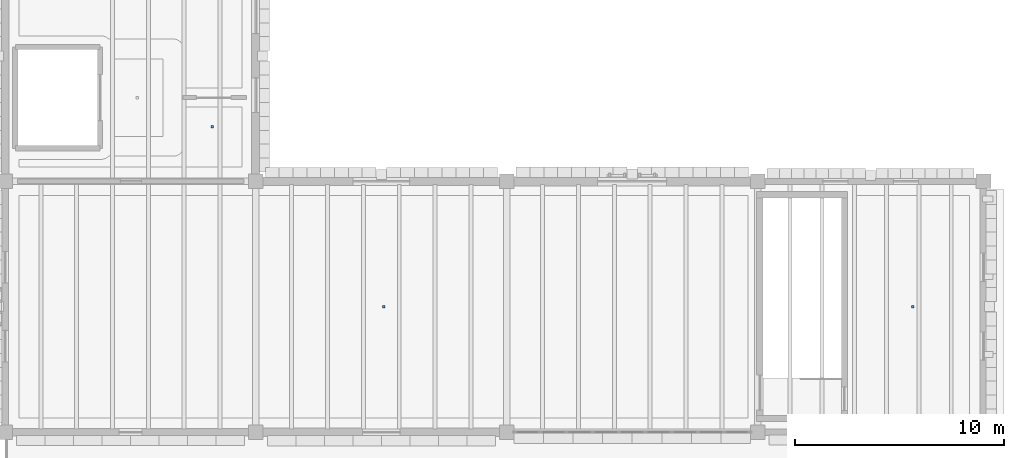
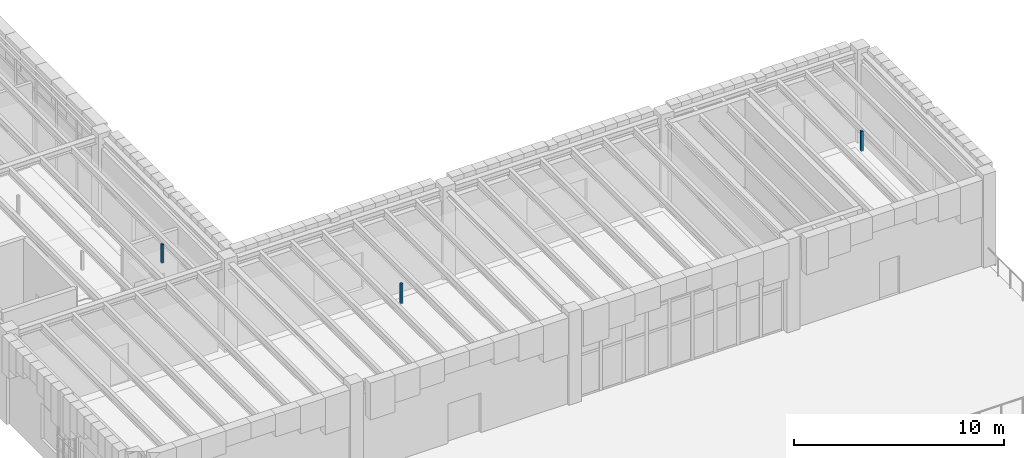
# One storey, part 68 of 100: 3 discrete accessories.
"""IFC4 building model written with IfcOpenShell, lengths in metres."""

import ifcopenshell
import ifcopenshell.guid

model = None  # the IFC model being written
_history = None  # IfcOwnerHistory: only IFC2X3 demands one
_inside = {}  # id of a spatial element -> (the spatial element, [elements in it])
_under = {}  # id of a project, library or spatial element -> (it, [spatial elements below it])
_declared = {}  # id of a project -> (the project, [libraries it declares])
_typed = {}  # id of a type object -> (the type object, [elements of that type])
_made_of = {}  # id of a material, layer set ... -> (it, [elements and type objects made of it])


def new_model(schema):
    """Start an empty IFC model of exactly this schema.

    Asked for "IFC4X3", IfcOpenShell would pick the latest addendum, in which some entities
    have other attributes; the version numbers below select the first issue.
    IFC2X3 requires an IfcOwnerHistory on every rooted entity: one is made here for all.
    """
    global model, _history
    if schema == "IFC4X3":
        model = ifcopenshell.file(schema_version=(4, 3, 0, 0))
    else:
        model = ifcopenshell.file(schema=schema)
    _inside.clear()
    _under.clear()
    _declared.clear()
    _typed.clear()
    _made_of.clear()
    _history = None
    if model.schema == "IFC2X3":
        org = make("IfcOrganization", Name="unknown")
        user = make(
            "IfcPersonAndOrganization",
            ThePerson=make("IfcPerson", FamilyName="unknown"),
            TheOrganization=org,
        )
        app = make(
            "IfcApplication",
            ApplicationDeveloper=org,
            Version="unknown",
            ApplicationFullName="unknown",
            ApplicationIdentifier="unknown",
        )
        _history = make(
            "IfcOwnerHistory",
            OwningUser=user,
            OwningApplication=app,
            ChangeAction="ADDED",
            CreationDate=0,
        )
    return model


def make(cls, **values):
    """One entity of the class cls with the attributes given. An attribute that is None is left unset."""
    return model.create_entity(
        cls, **{name: value for name, value in values.items() if value is not None}
    )


def rooted(cls, **values):
    """An entity with a GlobalId (a new one), such as an element, a storey or a relation."""
    return make(cls, GlobalId=ifcopenshell.guid.new(), OwnerHistory=_history, **values)


def si_unit(unit_type, name, prefix=None):
    """IfcSIUnit, for example si_unit("LENGTHUNIT", "METRE", prefix="MILLI")."""
    return make("IfcSIUnit", UnitType=unit_type, Prefix=prefix, Name=name)


def assignment(units):
    """IfcUnitAssignment: the units of a project."""
    return None if units is None else make("IfcUnitAssignment", Units=units)


def point(xyz):
    """IfcCartesianPoint."""
    return None if xyz is None else make("IfcCartesianPoint", Coordinates=xyz)


def direction(xyz):
    """IfcDirection."""
    return None if xyz is None else make("IfcDirection", DirectionRatios=xyz)


def frame(location, z_axis=None, x_axis=None):
    """IfcAxis2Placement3D, a coordinate frame: its origin and axes. An axis left out is left unset."""
    return make(
        "IfcAxis2Placement3D",
        Location=point(location),
        Axis=direction(z_axis),
        RefDirection=direction(x_axis),
    )


def frame_2d(location, x_axis=None):
    """IfcAxis2Placement2D, a coordinate frame in the plane: its origin and x axis."""
    return make(
        "IfcAxis2Placement2D", Location=point(location), RefDirection=direction(x_axis)
    )


def origin():
    """The frame at (0, 0, 0) with its axes left unset."""
    return frame((0.0, 0.0, 0.0))


def origin_2d():
    """The frame at (0, 0) in the plane with its x axis left unset."""
    return frame_2d((0.0, 0.0))


def place(relative_to, where):
    """IfcLocalPlacement: puts the frame where relative to a parent placement (None: the world)."""
    return make(
        "IfcLocalPlacement", PlacementRelTo=relative_to, RelativePlacement=where
    )


def context(
    kind, dimensions, precision=None, world=None, true_north=None, identifier=None
):
    """IfcGeometricRepresentationContext, for example the 3D "Model" context."""
    return make(
        "IfcGeometricRepresentationContext",
        ContextIdentifier=identifier,
        ContextType=kind,
        CoordinateSpaceDimension=dimensions,
        Precision=precision,
        WorldCoordinateSystem=world,
        TrueNorth=true_north,
    )


def subcontext(parent, identifier, kind, view, scale=None):
    """IfcGeometricRepresentationSubContext, for example "Body" below "Model"."""
    return make(
        "IfcGeometricRepresentationSubContext",
        ContextIdentifier=identifier,
        ContextType=kind,
        ParentContext=parent,
        TargetScale=scale,
        TargetView=view,
    )


def project(units=None, contexts=None):
    """IfcProject with its units and contexts."""
    return rooted(
        "IfcProject",
        Name="project",
        RepresentationContexts=contexts,
        UnitsInContext=assignment(units),
    )


def spatial(cls, under=None, at=None, **own):
    """A site, building, storey or space (cls), placed at a placement, below another one or the project."""
    s = rooted(cls, ObjectPlacement=at, **own)
    if under is not None:
        _under.setdefault(under.id(), (under, []))[1].append(s)
    return s


def profile(cls, at=None, kind="AREA", **sizes):
    """A parametric profile (cls). Its sizes go by their IFC names, for example OverallWidth=200.0."""
    return make(cls, ProfileType=kind, Position=at, **sizes)


def rectangle(**sizes):
    """IfcRectangleProfileDef."""
    return profile("IfcRectangleProfileDef", **sizes)


def extrude(swept, where, along, depth):
    """IfcExtrudedAreaSolid: the profile swept, set in the frame where, extruded along a direction by depth."""
    return make(
        "IfcExtrudedAreaSolid",
        SweptArea=swept,
        Position=where,
        ExtrudedDirection=direction(along),
        Depth=depth,
    )


def shape(context_of_items, identifier, shape_type, items):
    """IfcShapeRepresentation: the items that make up one representation, for example the "Body"."""
    return make(
        "IfcShapeRepresentation",
        ContextOfItems=context_of_items,
        RepresentationIdentifier=identifier,
        RepresentationType=shape_type,
        Items=items,
    )


def material(Name=None, Category=None):
    """IfcMaterial."""
    return make("IfcMaterial", Name=Name, Category=Category)


def made_of(thing, what):
    """Note that an element or type object is made of a material, layer set ...; save() writes the relation."""
    if what is not None:
        _made_of.setdefault(what.id(), (what, []))[1].append(thing)
    return thing


def type_object(cls, material=None, **own):
    """A type object (cls), such as IfcWallType, which elements share."""
    return made_of(rooted(cls, **own), material)


def element(
    cls,
    number,
    at=None,
    inside=None,
    cuts=None,
    type_object=None,
    material=None,
    context=None,
    identifier="Body",
    shape_type=None,
    held_by="IfcProductDefinitionShape",
    body=None,
    shapes=None,
    **own,
):
    """One element of the class cls, such as IfcWall. Its Tag is "e" and its number.

    at: its placement. inside: the storey or other place that contains it. cuts: it is an
    opening in that element (IfcRelVoidsElement). A single representation is given by context,
    identifier, shape_type and body (its items); several are given by shapes. held_by: the class
    of the entity that holds the representations. save() writes the other relations.
    """
    e = rooted(cls, Tag="e%d" % number, ObjectPlacement=at, **own)
    if body is not None:
        shapes = [shape(context, identifier, shape_type, body)]
    if shapes is not None:
        e.Representation = make(held_by, Representations=shapes)
    if inside is not None:
        _inside.setdefault(inside.id(), (inside, []))[1].append(e)
    if cuts is not None:
        rooted(
            "IfcRelVoidsElement", RelatingBuildingElement=cuts, RelatedOpeningElement=e
        )
    if type_object is not None:
        _typed.setdefault(type_object.id(), (type_object, []))[1].append(e)
    return made_of(e, material)


def aggregate(whole, parts):
    """IfcRelAggregates: a whole, such as a stair, and the parts it consists of."""
    return rooted("IfcRelAggregates", RelatingObject=whole, RelatedObjects=parts)


def save(model, path):
    """Write the relations noted so far, then the file.

    IfcRelAggregates (storeys below a building ...), IfcRelContainedInSpatialStructure (elements
    in a storey), IfcRelDefinesByType, IfcRelAssociatesMaterial and IfcRelDeclares: one each for
    every whole, place, type object, material and project.
    """
    for whole, parts in _under.values():
        aggregate(whole, parts)
    for where, things in _inside.values():
        rooted(
            "IfcRelContainedInSpatialStructure",
            RelatedElements=things,
            RelatingStructure=where,
        )
    for kind, things in _typed.values():
        rooted("IfcRelDefinesByType", RelatedObjects=things, RelatingType=kind)
    for what, things in _made_of.values():
        rooted("IfcRelAssociatesMaterial", RelatedObjects=things, RelatingMaterial=what)
    for by, libraries in _declared.values():
        rooted("IfcRelDeclares", RelatingContext=by, RelatedDefinitions=libraries)
    model.write(path)


model = new_model("IFC4")

# Units and contexts
model_context = context("Model", 3, precision=1e-05, world=origin(), true_north=direction((0.0, 1.0)))
body_context = subcontext(model_context, "Body", "Model", "MODEL_VIEW")
ifc_project = project(units=[si_unit("LENGTHUNIT", "METRE"), si_unit("AREAUNIT", "SQUARE_METRE"), si_unit("VOLUMEUNIT", "CUBIC_METRE"), si_unit("PLANEANGLEUNIT", "RADIAN"), si_unit("MASSUNIT", "GRAM", prefix="KILO")], contexts=[model_context])

# Site, building, storey
site_placement = place(None, origin())
site = spatial("IfcSite", under=ifc_project, at=site_placement, CompositionType="ELEMENT")
building_placement = place(site_placement, origin())
building = spatial("IfcBuilding", under=site, at=building_placement, Name="Zlatogorsky Bluff Art Gallery", CompositionType="ELEMENT")
storey_placement = place(building_placement, frame((0.0, 0.0, 5.39990234375)))
storey = spatial("IfcBuildingStorey", under=building, at=storey_placement, Name="L01", CompositionType="ELEMENT", Elevation=5.39990234375)

# Discrete accessories
ifc_material = material(Name="Steel S355", Category="steel")
discrete_accessory_type = type_object("IfcDiscreteAccessoryType", Name="Stainless Facade Fin Bracket BRK-01", PredefinedType="BRACKET", material=ifc_material)
discrete_accessory_placement = place(storey_placement, frame((129.925048828125, 53.0, 4.05517578125), z_axis=(0.0, 0.0, 1.0), x_axis=(1.0, 0.0, 0.0)))
element("IfcDiscreteAccessory", 1, at=discrete_accessory_placement, inside=storey, type_object=discrete_accessory_type, Name="Acoustic ceiling suspension hanger L01-C1-11", PredefinedType="BRACKET", context=body_context, shape_type="SweptSolid", body=[
    extrude(rectangle(XDim=0.1201171875, YDim=0.1201171875, at=origin_2d()), origin(), (0.0, 0.0, 1.0), 1.080078125),
])
for number, where, z_axis, x_axis, name in (
    (2, (138.10498046875, 44.39990234375, 4.05517578125), (0.0, 0.0, 1.0), (1.0, 0.0, 0.0), "Acoustic ceiling suspension hanger L01-L1-11"),
    (3, (163.419921875, 44.39990234375, 4.05517578125), (0.0, 0.0, 1.0), (1.0, 0.0, 0.0), "Acoustic ceiling suspension hanger L01-L1-12"),
):
    element("IfcDiscreteAccessory", number, at=place(storey_placement, frame(where, z_axis=z_axis, x_axis=x_axis)), inside=storey, type_object=discrete_accessory_type, Name=name, PredefinedType="BRACKET", context=body_context, shape_type="SweptSolid", body=[
        extrude(rectangle(XDim=0.1201171875, YDim=0.1201171875, at=origin_2d()), origin(), (0.0, 0.0, 1.0), 1.14990234375),
    ])

save(model, "model.ifc")
